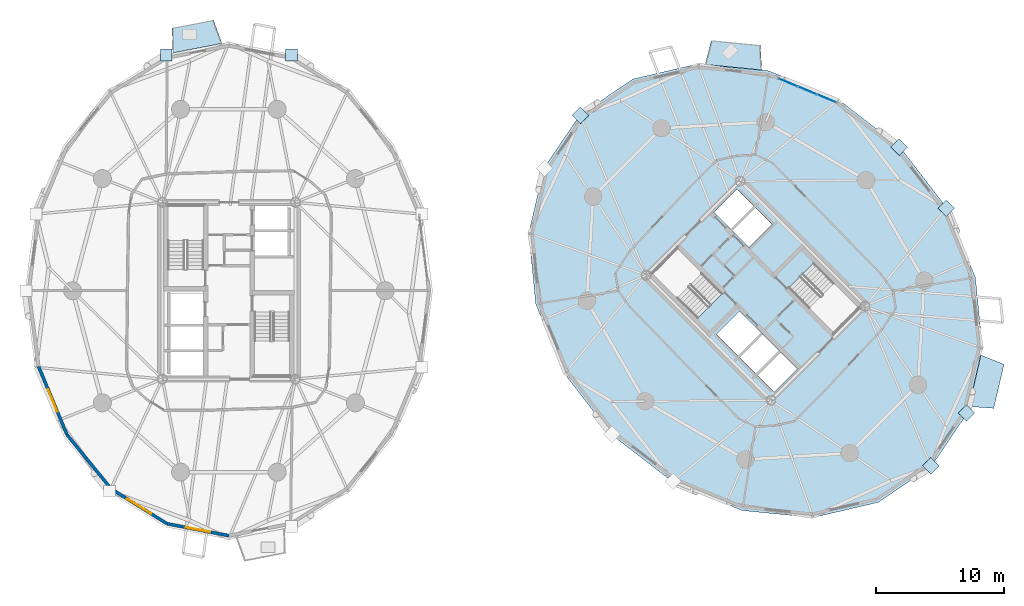
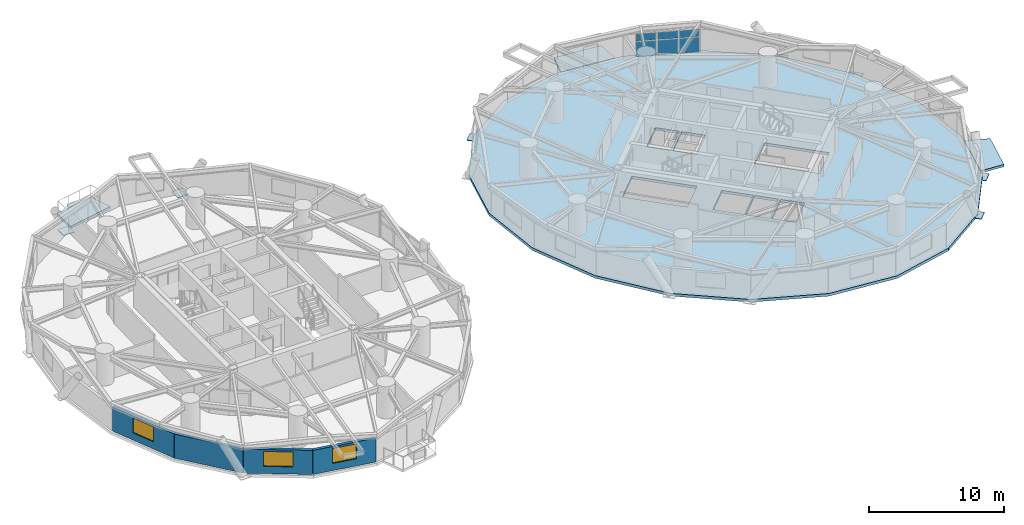
# One storey, part 9 of 18: 13 plates, 4 slabs, 4 walls, 3 windows, 3 openings, 1 element without a shape of its own.
"""IFC4 building model written with IfcOpenShell, lengths in metres."""

from ifc_helpers import new_model, si_unit, direction, frame, frame_2d, origin, origin_2d, place, context, subcontext, project, spatial, polyline, rectangle, outline, extrude, source, transform, mapped, material, layer, layer_set, type_object, element, fill, aggregate, save


model = new_model("IFC4")

# Units and contexts
model_context = context("Model", 3, precision=1e-05, world=origin(), true_north=direction((0.0, 1.0)))
body_context = subcontext(model_context, "Body", "Model", "MODEL_VIEW")
ifc_project = project(units=[si_unit("LENGTHUNIT", "METRE"), si_unit("AREAUNIT", "SQUARE_METRE"), si_unit("VOLUMEUNIT", "CUBIC_METRE"), si_unit("PLANEANGLEUNIT", "RADIAN"), si_unit("MASSUNIT", "GRAM", prefix="KILO")], contexts=[model_context])

# Site, building, storey
site_placement = place(None, origin())
site = spatial("IfcSite", under=ifc_project, at=site_placement, CompositionType="ELEMENT")
building_placement = place(site_placement, origin())
building = spatial("IfcBuilding", under=site, at=building_placement, Name="Cununo Teusaquillo Station Towers", CompositionType="ELEMENT")
storey_placement = place(building_placement, frame((0.0, 0.0, 75.969970703125)))
storey = spatial("IfcBuildingStorey", under=building, at=storey_placement, Name="L23", CompositionType="ELEMENT", Elevation=75.969970703125)

# Slabs
ifc_material_1 = material(Name="Concrete C50/60", Category="concrete")
ifc_layer_1 = layer(ifc_material_1, 0.2099609375)
ifc_layer_set_1 = layer_set([ifc_layer_1], Name="Concrete C50/60")
slab_type_1 = type_object("IfcSlabType", Name="SLB-BAL-210", PredefinedType="FLOOR", material=ifc_layer_set_1)
slab_1_placement = place(storey_placement, frame((0.0, 0.0, -0.2099609375)))
element("IfcSlab", 1, at=slab_1_placement, inside=storey, type_object=slab_type_1, Name="L23 Tower A Tree Balcony Slab 1", PredefinedType="FLOOR", context=body_context, shape_type="SweptSolid", body=[
    extrude(outline(polyline([(15.958984375, 43.75048828125), (12.1376953125, 43.01220703125), (12.069091796875, 44.94921875), (15.30126953125, 45.573974609375), (15.958984375, 43.75048828125)])), origin(), (0.0, 0.0, 1.0), 0.2099609375),
])
slab_2_placement = place(storey_placement, frame((0.0, 0.0, -0.2099609375)))
element("IfcSlab", 2, at=slab_2_placement, inside=storey, type_object=slab_type_1, Name="L23 Tower B Tree Balcony Slab 1", PredefinedType="FLOOR", context=body_context, shape_type="SweptSolid", body=[
    extrude(outline(polyline([(57.984375, 41.675048828125), (53.57080078125, 42.1123046875), (54.05810546875, 43.988525390625), (57.87451171875, 43.6103515625), (57.984375, 41.675048828125)])), origin(), (0.0, 0.0, 1.0), 0.2099609375),
])
slab_3_placement = place(storey_placement, frame((0.0, 0.0, -0.2099609375)))
element("IfcSlab", 3, at=slab_3_placement, inside=storey, type_object=slab_type_1, Name="L23 Tower B Tree Balcony Slab 2", PredefinedType="FLOOR", context=body_context, shape_type="SweptSolid", body=[
    extrude(outline(polyline([(74.1083984375, 15.4873046875), (75.04150390625, 19.486083984375), (76.83837890625, 18.7587890625), (76.04150390625, 15.344482421875), (74.1083984375, 15.4873046875)])), origin(), (0.0, 0.0, 1.0), 0.2099609375),
])
ifc_material_2 = material(Name="Concrete C40/50", Category="concrete")
ifc_layer_2 = layer(ifc_material_2, 0.239990234375)
ifc_layer_set_2 = layer_set([ifc_layer_2], Name="Concrete C40/50")
slab_type_2 = type_object("IfcSlabType", Name="SLB-Z2-240", PredefinedType="FLOOR", material=ifc_layer_set_2)
slab_4_placement = place(storey_placement, frame((0.0, 0.0, -0.239990234375)))
element("IfcSlab", 4, at=slab_4_placement, inside=storey, type_object=slab_type_2, Name="L23 Tower B Floor Slab", PredefinedType="FLOOR", context=body_context, shape_type="SweptSolid", body=[
    extrude(outline(polyline([(68.71533203125, 35.71533203125), (63.938232421875, 39.39453125), (58.531005859375, 41.61572265625), (53.02294921875, 42.16162109375), (47.952880859375, 40.978515625), (43.8173828125, 38.1826171875), (41.021484375, 34.047119140625), (39.83837890625, 28.97705078125), (40.38427734375, 23.468994140625), (42.60546875, 18.061767578125), (46.28466796875, 13.28466796875), (51.061767578125, 9.60546875), (56.468994140625, 7.38427734375), (61.97705078125, 6.83837890625), (67.047119140625, 8.021484375), (71.1826171875, 10.8173828125), (73.978515625, 14.952880859375), (75.16162109375, 20.02294921875), (74.61572265625, 25.531005859375), (72.39453125, 30.938232421875), (68.71533203125, 35.71533203125)]), holes=[polyline([(54.914794921875, 24.28515625), (51.390625, 27.809326171875), (49.43896484375, 25.857666015625), (52.963134765625, 22.33349609375), (54.914794921875, 24.28515625)]), polyline([(60.085205078125, 24.71484375), (63.609375, 21.190673828125), (65.56103515625, 23.142333984375), (62.036865234375, 26.66650390625), (60.085205078125, 24.71484375)]), polyline([(56.156494140625, 19.40869140625), (57.945556640625, 21.19775390625), (56.248291015625, 22.89501953125), (54.45947265625, 21.10595703125), (56.156494140625, 19.40869140625)]), polyline([(58.94970703125, 16.61572265625), (60.738525390625, 18.40478515625), (59.430419921875, 19.712890625), (57.641357421875, 17.923828125), (58.94970703125, 16.61572265625)]), polyline([(57.535400390625, 18.030029296875), (59.32421875, 19.819091796875), (58.01611328125, 21.127197265625), (56.227294921875, 19.338134765625), (57.535400390625, 18.030029296875)]), polyline([(56.98388671875, 27.872802734375), (58.772705078125, 29.661865234375), (57.464599609375, 30.969970703125), (55.67578125, 29.180908203125), (56.98388671875, 27.872802734375)]), polyline([(55.569580078125, 29.287109375), (57.358642578125, 31.076171875), (56.05029296875, 32.38427734375), (54.261474609375, 30.59521484375), (55.569580078125, 29.287109375)])]), origin(), (0.0, 0.0, 1.0), 0.239990234375),
])

# Plates
ifc_material_3 = material(Name="Steel ASTM A572 Grade 50", Category="steel")
ifc_layer_3 = layer(ifc_material_3, 0.050048828125)
ifc_layer_set_3 = layer_set([ifc_layer_3], Name="Steel ASTM A572 Grade 50")
plate_type_1 = type_object("IfcPlateType", Name="PLT-NODE-DN1", PredefinedType="USERDEFINED", material=ifc_layer_set_3)
shared_shape_1 = source(origin(), body_context, "Body", "SweptSolid", [
    extrude(rectangle(XDim=0.919921875, YDim=0.919921875, at=origin_2d()), origin(), (0.0, 0.0, 1.0), 0.050048828125),
])
for number, where, z_axis, x_axis, name in (
    (5, (21.3828125, 42.845947265625, -0.1650390625), (0.0, 0.0, 1.0), (1.0, 0.0, 0.0), "L23 Tower A Diagrid Node Assembly C03"),
    (6, (11.6171875, 42.845947265625, -0.1650390625), (0.0, 0.0, 1.0), (1.0, 0.0, 0.0), "L23 Tower A Diagrid Node Assembly C06"),
    (7, (68.673095703125, 35.673095703125, -0.1650390625), (0.0, 0.0, 1.0), (0.707106781187, 0.707106781187, 0.0), "L23 Tower B Diagrid Node Assembly C00"),
    (8, (43.85986328125, 38.14013671875, -0.1650390625), (0.0, 0.0, 1.0), (0.707106781187, 0.707106781187, 0.0), "L23 Tower B Diagrid Node Assembly C04"),
    (9, (71.14013671875, 10.85986328125, -0.1650390625), (0.0, 0.0, 1.0), (0.707106781187, 0.707106781187, 0.0), "L23 Tower B Diagrid Node Assembly C14"),
    (10, (73.92529296875, 14.980224609375, -0.1650390625), (0.0, 0.0, 1.0), (0.707106781187, 0.707106781187, 0.0), "L23 Tower B Diagrid Node Assembly C16"),
    (11, (72.341064453125, 30.9111328125, -0.1650390625), (0.0, 0.0, 1.0), (0.707106781187, 0.707106781187, 0.0), "L23 Tower B Diagrid Node Assembly C18"),
):
    element("IfcPlate", number, at=place(storey_placement, frame(where, z_axis=z_axis, x_axis=x_axis)), inside=storey, type_object=plate_type_1, Name=name, ObjectType="GUSSET PLATE", PredefinedType="USERDEFINED", context=body_context, shape_type="MappedRepresentation", body=[
        mapped(shared_shape_1, transform((0.0, 0.0, 0.0), x_axis=(1.0, 0.0, 0.0), y_axis=(0.0, 1.0, 0.0), z_axis=(0.0, 0.0, 1.0), scale=1.0)),
    ])

# Curtain wall, plates
ifc_material_4 = material(Name="Ceramic-fritted dark low-E double glazing", Category="glass")
ifc_layer_4 = layer(ifc_material_4, 0.179931640625)
ifc_layer_set_4 = layer_set([ifc_layer_4], Name="Ceramic-fritted dark low-E double glazing")
curtain_wall_type = type_object("IfcCurtainWallType", Name="CW-SYS-04", PredefinedType="USERDEFINED", material=ifc_layer_set_4)
curtain_wall_placement = place(storey_placement, origin())
curtain_wall = element("IfcCurtainWall", 12, at=curtain_wall_placement, inside=storey, type_object=curtain_wall_type, Name="L23 Tower B Facade Curtain Wall C01", ObjectType="FRITTED GLAZING", PredefinedType="USERDEFINED")
ifc_material_5 = material(Name="Ceramic-fritted dark low-E double glazing", Category="glass")
ifc_layer_5 = layer(ifc_material_5, 0.028076171875)
ifc_layer_set_5 = layer_set([ifc_layer_5], Name="Ceramic-fritted dark low-E double glazing")
plate_type_2 = type_object("IfcPlateType", Name="CWP-FRIT-28", PredefinedType="CURTAIN_PANEL", material=ifc_layer_set_5)
shared_shape_2 = source(origin(), body_context, "Body", "SweptSolid", [
    extrude(rectangle(XDim=1.531005859375, YDim=0.028076171875, at=origin_2d()), origin(), (0.0, 0.0, 1.0), 1.31103515625),
])
plate_1_placement = place(storey_placement, frame((60.045654296875, 40.697021484375, 0.070068359375), z_axis=(0.0, 0.0, 1.0), x_axis=(0.924562443652, -0.381030560176, 0.0)))
plate_1 = element("IfcPlate", 13, at=plate_1_placement, type_object=plate_type_2, Name="CW-04 panel 1.1", PredefinedType="CURTAIN_PANEL", context=body_context, shape_type="MappedRepresentation", body=[
    mapped(shared_shape_2, transform((0.0, 0.0, 0.0), x_axis=(1.0, 0.0, 0.0), y_axis=(0.0, 1.0, 0.0), z_axis=(0.0, 0.0, 1.0), scale=1.0)),
])
plate_2_placement = place(storey_placement, frame((63.03857421875, 39.463623046875, 0.070068359375), z_axis=(0.0, 0.0, 1.0), x_axis=(0.924562443652, -0.381030560176, 0.0)))
plate_2 = element("IfcPlate", 14, at=plate_2_placement, type_object=plate_type_2, Name="CW-04 panel 3.1", PredefinedType="CURTAIN_PANEL", context=body_context, shape_type="MappedRepresentation", body=[
    mapped(shared_shape_2, transform((0.0, 0.0, 0.0), x_axis=(1.0, 0.0, 0.0), y_axis=(0.0, 1.0, 0.0), z_axis=(0.0, 0.0, 1.0), scale=1.0)),
])
shared_shape_3 = source(origin(), body_context, "Body", "SweptSolid", [
    extrude(rectangle(XDim=1.531005859375, YDim=0.028076171875, at=origin_2d()), origin(), (0.0, 0.0, 1.0), 0.657958984375),
])
plate_3_placement = place(storey_placement, frame((60.045654296875, 40.697021484375, 1.451171875), z_axis=(0.0, 0.0, 1.0), x_axis=(0.924562443652, -0.381030560176, 0.0)))
plate_3 = element("IfcPlate", 15, at=plate_3_placement, type_object=plate_type_2, Name="CW-04 panel 1.2", PredefinedType="CURTAIN_PANEL", context=body_context, shape_type="MappedRepresentation", body=[
    mapped(shared_shape_3, transform((0.0, 0.0, 0.0), x_axis=(1.0, 0.0, 0.0), y_axis=(0.0, 1.0, 0.0), z_axis=(0.0, 0.0, 1.0), scale=1.0)),
])
plate_4_placement = place(storey_placement, frame((63.03857421875, 39.463623046875, 1.451171875), z_axis=(0.0, 0.0, 1.0), x_axis=(0.924562443652, -0.381030560176, 0.0)))
plate_4 = element("IfcPlate", 16, at=plate_4_placement, type_object=plate_type_2, Name="CW-04 panel 3.2", PredefinedType="CURTAIN_PANEL", context=body_context, shape_type="MappedRepresentation", body=[
    mapped(shared_shape_3, transform((0.0, 0.0, 0.0), x_axis=(1.0, 0.0, 0.0), y_axis=(0.0, 1.0, 0.0), z_axis=(0.0, 0.0, 1.0), scale=1.0)),
])
shared_shape_4 = source(origin(), body_context, "Body", "SweptSolid", [
    extrude(rectangle(XDim=1.566162109375, YDim=0.028076171875, at=origin_2d()), origin(), (0.0, 0.0, 1.0), 1.31103515625),
])
plate_5_placement = place(storey_placement, frame((61.542236328125, 40.080322265625, 0.070068359375), z_axis=(0.0, 0.0, 1.0), x_axis=(0.924562443652, -0.381030560176, 0.0)))
plate_5 = element("IfcPlate", 17, at=plate_5_placement, type_object=plate_type_2, Name="CW-04 panel 2.1", PredefinedType="CURTAIN_PANEL", context=body_context, shape_type="MappedRepresentation", body=[
    mapped(shared_shape_4, transform((0.0, 0.0, 0.0), x_axis=(1.0, 0.0, 0.0), y_axis=(0.0, 1.0, 0.0), z_axis=(0.0, 0.0, 1.0), scale=1.0)),
])
shared_shape_5 = source(origin(), body_context, "Body", "SweptSolid", [
    extrude(rectangle(XDim=1.566162109375, YDim=0.028076171875, at=origin_2d()), origin(), (0.0, 0.0, 1.0), 0.657958984375),
])
plate_6_placement = place(storey_placement, frame((61.542236328125, 40.080322265625, 1.451171875), z_axis=(0.0, 0.0, 1.0), x_axis=(0.924562443652, -0.381030560176, 0.0)))
plate_6 = element("IfcPlate", 18, at=plate_6_placement, type_object=plate_type_2, Name="CW-04 panel 2.2", PredefinedType="CURTAIN_PANEL", context=body_context, shape_type="MappedRepresentation", body=[
    mapped(shared_shape_5, transform((0.0, 0.0, 0.0), x_axis=(1.0, 0.0, 0.0), y_axis=(0.0, 1.0, 0.0), z_axis=(0.0, 0.0, 1.0), scale=1.0)),
])
aggregate(curtain_wall, [plate_1, plate_3, plate_5, plate_6, plate_2, plate_4])

# Wall, opening, window
ifc_material_6 = material(Name="Precast concrete C40/50", Category="concrete")
ifc_layer_6 = layer(ifc_material_6, 0.239990234375)
ifc_layer_set_6 = layer_set([ifc_layer_6], Name="Precast concrete C40/50")
wall_type = type_object("IfcWallType", Name="WL-EXT-240", PredefinedType="SOLIDWALL", material=ifc_layer_set_6)
wall_1_placement = place(storey_placement, frame((3.894775390625, 13.291015625, 0.0), z_axis=(0.0, 0.0, 1.0), x_axis=(-0.384344417632, 0.923189779317, 0.0)))
wall_1 = element("IfcWall", 19, at=wall_1_placement, inside=storey, type_object=wall_type, Name="L23 Tower A Exterior Facade Wall C11", PredefinedType="SOLIDWALL", context=body_context, shape_type="SweptSolid", body=[
    extrude(rectangle(XDim=5.75830078125, YDim=0.239990234375, at=frame_2d((2.879150390625, 0.0))), origin(), (0.0, 0.0, 1.0), 2.178955078125),
])
shared_shape_6 = source(origin(), body_context, "Body", "SweptSolid", [
    extrude(rectangle(XDim=1.89990234375, YDim=1.35009765625, at=frame_2d((0.949951171875, 0.675048828125))), frame((0.0, 0.1298828125, 0.0), z_axis=(0.0, -1.0, 0.0), x_axis=(1.0, 0.0, 0.0)), (0.0, 0.0, 1.0), 0.260009765625),
])
opening_1_placement = place(wall_1_placement, frame((1.928955078125, 0.0, 0.64990234375)))
opening_1 = element("IfcOpeningElement", 20, at=opening_1_placement, cuts=wall_1, Name="Opening WN-02", PredefinedType="OPENING", context=body_context, shape_type="MappedRepresentation", body=[
    mapped(shared_shape_6, transform((0.0, 0.0, 0.0), x_axis=(1.0, 0.0, 0.0), y_axis=(0.0, 1.0, 0.0), z_axis=(0.0, 0.0, 1.0), scale=1.0)),
])
ifc_material_7 = material(Name="Operable acoustic tinted low-E double glazing", Category="glass")
window_type_1 = type_object("IfcWindowType", Name="WIN-OPER-1900", PartitioningType="DOUBLE_PANEL_VERTICAL", PredefinedType="WINDOW", material=ifc_material_7)
shared_shape_7 = source(origin(), body_context, "Body", "SweptSolid", [
    extrude(rectangle(XDim=1.89990234375, YDim=1.35009765625, at=frame_2d((0.949951171875, 0.675048828125))), frame((0.0, 0.030029296875, 0.0), z_axis=(0.0, -1.0, 0.0), x_axis=(1.0, 0.0, 0.0)), (0.0, 0.0, 1.0), 0.06005859375),
])
window_1_placement = place(opening_1_placement, origin())
window_1 = element("IfcWindow", 21, at=window_1_placement, inside=storey, type_object=window_type_1, Name="L23 Tower A Facade Window C11", OverallHeight=1.35009765625, OverallWidth=1.89990234375, PartitioningType="DOUBLE_PANEL_VERTICAL", PredefinedType="WINDOW", context=body_context, shape_type="MappedRepresentation", body=[
    mapped(shared_shape_7, transform((0.0, 0.0, 0.0), x_axis=(1.0, 0.0, 0.0), y_axis=(0.0, 1.0, 0.0), z_axis=(0.0, 0.0, 1.0), scale=1.0)),
])
fill(opening_1, window_1)

# Wall
wall_2_placement = place(storey_placement, frame((7.341796875, 9.072021484375, 0.0), z_axis=(0.0, 0.0, 1.0), x_axis=(-0.632700781152, 0.77439635945, 0.0)))
element("IfcWall", 22, at=wall_2_placement, inside=storey, type_object=wall_type, Name="L23 Tower A Exterior Facade Wall C12", PredefinedType="SOLIDWALL", context=body_context, shape_type="SweptSolid", body=[
    extrude(rectangle(XDim=5.447998046875, YDim=0.239990234375, at=frame_2d((2.72412109375, 0.0))), origin(), (0.0, 0.0, 1.0), 2.178955078125),
])

# Wall, opening, window
wall_3_placement = place(storey_placement, frame((11.685302734375, 6.36328125, 0.0), z_axis=(0.0, 0.0, 1.0), x_axis=(-0.848520380187, 0.529162701263, 0.0)))
wall_3 = element("IfcWall", 23, at=wall_3_placement, inside=storey, type_object=wall_type, Name="L23 Tower A Exterior Facade Wall C13", PredefinedType="SOLIDWALL", context=body_context, shape_type="SweptSolid", body=[
    extrude(rectangle(XDim=5.118896484375, YDim=0.239990234375, at=frame_2d((2.5595703125, 0.0))), origin(), (0.0, 0.0, 1.0), 2.178955078125),
])
shared_shape_8 = source(origin(), body_context, "Body", "SweptSolid", [
    extrude(rectangle(XDim=2.199951171875, YDim=1.35009765625, at=frame_2d((1.10009765625, 0.675048828125))), frame((0.0, 0.1298828125, 0.0), z_axis=(0.0, -1.0, 0.0), x_axis=(1.0, 0.0, 0.0)), (0.0, 0.0, 1.0), 0.260009765625),
])
opening_2_placement = place(wall_3_placement, frame((1.458984375, 0.0, 0.64990234375)))
opening_2 = element("IfcOpeningElement", 24, at=opening_2_placement, cuts=wall_3, Name="Opening WN-01", PredefinedType="OPENING", context=body_context, shape_type="MappedRepresentation", body=[
    mapped(shared_shape_8, transform((0.0, 0.0, 0.0), x_axis=(1.0, 0.0, 0.0), y_axis=(0.0, 1.0, 0.0), z_axis=(0.0, 0.0, 1.0), scale=1.0)),
])
ifc_material_8 = material(Name="Ceramic-fritted dark low-E double glazing", Category="glass")
window_type_2 = type_object("IfcWindowType", Name="WIN-FRIT-2200", PartitioningType="DOUBLE_PANEL_VERTICAL", PredefinedType="WINDOW", material=ifc_material_8)
shared_shape_9 = source(origin(), body_context, "Body", "SweptSolid", [
    extrude(rectangle(XDim=2.199951171875, YDim=1.35009765625, at=frame_2d((1.10009765625, 0.675048828125))), frame((0.0, 0.030029296875, 0.0), z_axis=(0.0, -1.0, 0.0), x_axis=(1.0, 0.0, 0.0)), (0.0, 0.0, 1.0), 0.06005859375),
])
window_2_placement = place(opening_2_placement, origin())
window_2 = element("IfcWindow", 25, at=window_2_placement, inside=storey, type_object=window_type_2, Name="L23 Tower A Facade Window C13", OverallHeight=1.35009765625, OverallWidth=2.199951171875, PartitioningType="DOUBLE_PANEL_VERTICAL", PredefinedType="WINDOW", context=body_context, shape_type="MappedRepresentation", body=[
    mapped(shared_shape_9, transform((0.0, 0.0, 0.0), x_axis=(1.0, 0.0, 0.0), y_axis=(0.0, 1.0, 0.0), z_axis=(0.0, 0.0, 1.0), scale=1.0)),
])
fill(opening_2, window_2)

wall_4_placement = place(storey_placement, frame((16.5, 5.429931640625, 0.0), z_axis=(0.0, 0.0, 1.0), x_axis=(-0.981723785992, 0.190311344954, 0.0)))
wall_4 = element("IfcWall", 26, at=wall_4_placement, inside=storey, type_object=wall_type, Name="L23 Tower A Exterior Facade Wall C14", PredefinedType="SOLIDWALL", context=body_context, shape_type="SweptSolid", body=[
    extrude(rectangle(XDim=4.904296875, YDim=0.239990234375, at=frame_2d((2.4521484375, 0.0))), origin(), (0.0, 0.0, 1.0), 2.178955078125),
])
opening_3_placement = place(wall_4_placement, frame((1.501953125, 0.0, 0.64990234375)))
opening_3 = element("IfcOpeningElement", 27, at=opening_3_placement, cuts=wall_4, Name="Opening WN-02", PredefinedType="OPENING", context=body_context, shape_type="MappedRepresentation", body=[
    mapped(shared_shape_6, transform((0.0, 0.0, 0.0), x_axis=(1.0, 0.0, 0.0), y_axis=(0.0, 1.0, 0.0), z_axis=(0.0, 0.0, 1.0), scale=1.0)),
])
window_3_placement = place(opening_3_placement, origin())
window_3 = element("IfcWindow", 28, at=window_3_placement, inside=storey, type_object=window_type_1, Name="L23 Tower A Facade Window C14", OverallHeight=1.35009765625, OverallWidth=1.89990234375, PartitioningType="DOUBLE_PANEL_VERTICAL", PredefinedType="WINDOW", context=body_context, shape_type="MappedRepresentation", body=[
    mapped(shared_shape_7, transform((0.0, 0.0, 0.0), x_axis=(1.0, 0.0, 0.0), y_axis=(0.0, 1.0, 0.0), z_axis=(0.0, 0.0, 1.0), scale=1.0)),
])
fill(opening_3, window_3)

save(model, "model.ifc")
